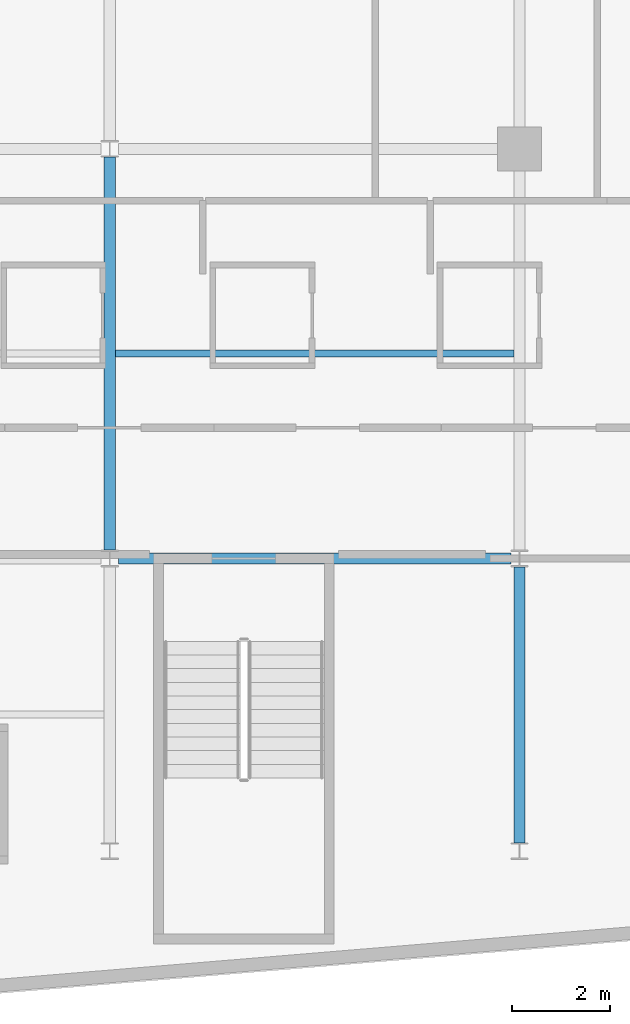
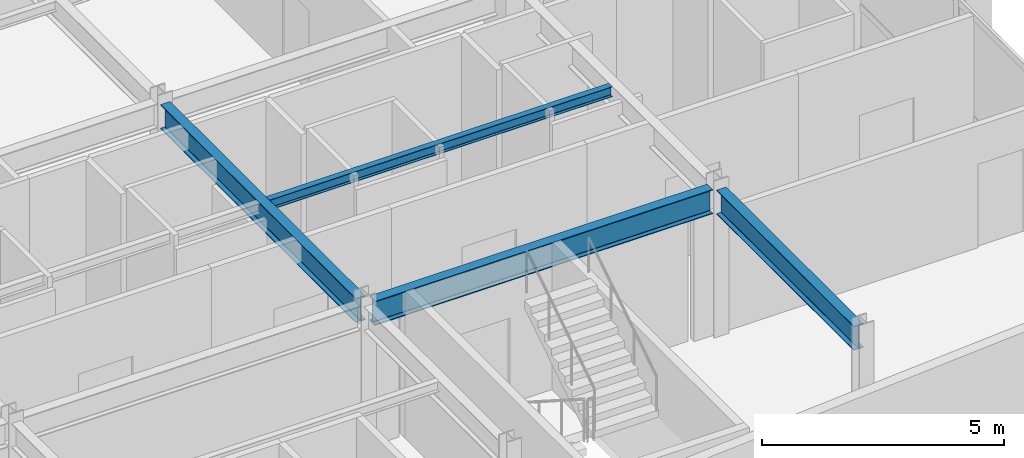
# One storey, part 4 of 20: 4 beams.
"""IFC4 building model written with IfcOpenShell, lengths in metres."""

from ifc_helpers import new_model, si_unit, direction, frame, origin, origin_2d, place, context, subcontext, project, spatial, i_section, extrude, material, material_profile, profile_set, type_object, element, save


model = new_model("IFC4")

# Units and contexts
model_context = context("Model", 3, precision=1e-05, world=origin(), true_north=direction((0.0, 1.0)))
body_context = subcontext(model_context, "Body", "Model", "MODEL_VIEW")
ifc_project = project(units=[si_unit("LENGTHUNIT", "METRE"), si_unit("AREAUNIT", "SQUARE_METRE"), si_unit("VOLUMEUNIT", "CUBIC_METRE"), si_unit("PLANEANGLEUNIT", "RADIAN"), si_unit("MASSUNIT", "GRAM", prefix="KILO")], contexts=[model_context])

# Site, building, storey
site_placement = place(None, origin())
site = spatial("IfcSite", under=ifc_project, at=site_placement, CompositionType="ELEMENT")
building_placement = place(site_placement, origin())
building = spatial("IfcBuilding", under=site, at=building_placement, Name="Varnakote Quay Hospital", CompositionType="ELEMENT")
storey_placement = place(building_placement, frame((0.0, 0.0, 58.050048828125)))
storey = spatial("IfcBuildingStorey", under=building, at=storey_placement, Name="L14", CompositionType="ELEMENT", Elevation=58.050048828125)

# Beams
ifc_material_1 = material(Name="Structural steel AS/NZS 3679.1 Grade 350 L0 (fy 340 MPa)", Category="steel")
ifc_material_profile_1 = material_profile(ifc_material_1, i_section(OverallWidth=0.22900390625, OverallDepth=0.612060546875, WebThickness=0.011962890625, FlangeThickness=0.01953125, FilletRadius=0.013916015625, at=origin_2d()), Name="610UB125")
ifc_profile_set_1 = profile_set([ifc_material_profile_1], Name="Structural steel AS/NZS 3679.1 Grade 350 L0 (fy 340 MPa)")
beam_type_1 = type_object("IfcBeamType", Name="BM-STL-610UB125", PredefinedType="BEAM", material=ifc_profile_set_1)
beam_1_placement = place(storey_placement, frame((42.175048828125, 12.0, 3.404052734375), z_axis=(1.0, 0.0, 0.0), x_axis=(0.0, 1.0, 0.0)))
element("IfcBeam", 1, at=beam_1_placement, inside=storey, type_object=beam_type_1, Name="L14 Primary Floor Beam", PredefinedType="BEAM", context=body_context, shape_type="SweptSolid", body=[
    extrude(i_section(OverallWidth=0.22900390625, OverallDepth=0.612060546875, WebThickness=0.011962890625, FlangeThickness=0.01953125, FilletRadius=0.013916015625, at=origin_2d()), origin(), (0.0, 0.0, 1.0), 8.050048828125),
])
beam_2_placement = place(storey_placement, frame((42.0, 12.169921875, 3.404052734375), z_axis=(0.0, 1.0, 0.0), x_axis=(-1.0, 0.0, 0.0)))
element("IfcBeam", 2, at=beam_2_placement, inside=storey, type_object=beam_type_1, Name="L14 Primary Tie Beam", PredefinedType="BEAM", context=body_context, shape_type="SweptSolid", body=[
    extrude(i_section(OverallWidth=0.22900390625, OverallDepth=0.612060546875, WebThickness=0.011962890625, FlangeThickness=0.01953125, FilletRadius=0.013916015625, at=origin_2d()), origin(), (0.0, 0.0, 1.0), 8.06005859375),
])
beam_3_placement = place(storey_placement, frame((50.39990234375, 6.169921875, 3.404052734375), z_axis=(0.0, 1.0, 0.0), x_axis=(-1.0, 0.0, 0.0)))
element("IfcBeam", 3, at=beam_3_placement, inside=storey, type_object=beam_type_1, Name="L14 Primary Tie Beam", PredefinedType="BEAM", context=body_context, shape_type="SweptSolid", body=[
    extrude(i_section(OverallWidth=0.22900390625, OverallDepth=0.612060546875, WebThickness=0.011962890625, FlangeThickness=0.01953125, FilletRadius=0.013916015625, at=origin_2d()), origin(), (0.0, 0.0, 1.0), 5.66015625),
])
ifc_material_2 = material(Name="Structural steel AS/NZS 3679.1 Grade 350 L0 (fy 340 MPa)", Category="steel")
ifc_material_profile_2 = material_profile(ifc_material_2, i_section(OverallWidth=0.14599609375, OverallDepth=0.256103515625, WebThickness=0.00634765625, FlangeThickness=0.010986328125, FilletRadius=0.0087890625, at=origin_2d()), Name="250UB37.3")
ifc_profile_set_2 = profile_set([ifc_material_profile_2], Name="Structural steel AS/NZS 3679.1 Grade 350 L0 (fy 340 MPa)")
beam_type_2 = type_object("IfcBeamType", Name="JST-STL-250UB37-3", PredefinedType="JOIST", material=ifc_profile_set_2)
beam_4_placement = place(storey_placement, frame((42.114501953125, 16.199951171875, 3.58203125), z_axis=(1.0, 0.0, 0.0), x_axis=(0.0, 1.0, 0.0)))
element("IfcBeam", 4, at=beam_4_placement, inside=storey, type_object=beam_type_2, Name="L14 Composite Floor Joist", PredefinedType="JOIST", context=body_context, shape_type="SweptSolid", body=[
    extrude(i_section(OverallWidth=0.14599609375, OverallDepth=0.256103515625, WebThickness=0.00634765625, FlangeThickness=0.010986328125, FilletRadius=0.0087890625, at=origin_2d()), origin(), (0.0, 0.0, 1.0), 8.1708984375),
])

save(model, "model.ifc")
